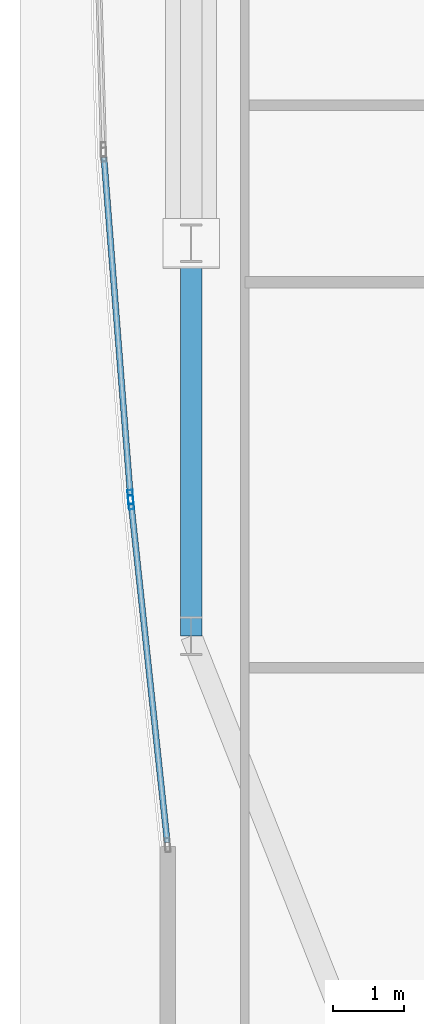
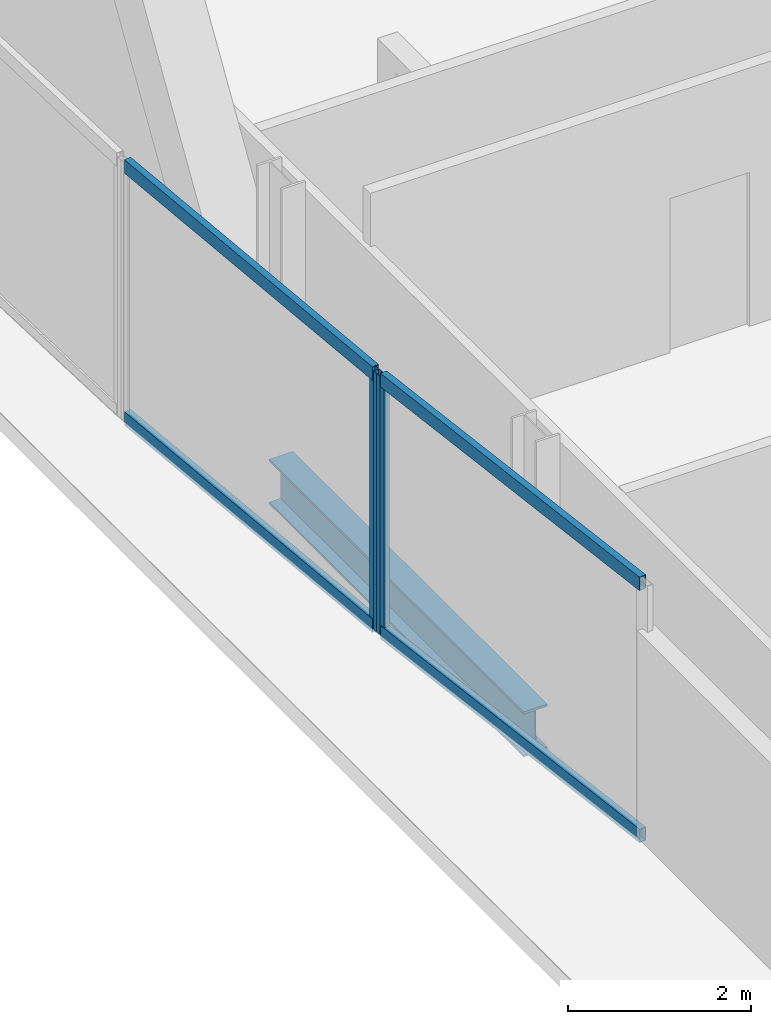
# One storey, part 6 of 30: 6 members, 1 beam, 2 elements without a shape of their own.
"""IFC4 building model written with IfcOpenShell, lengths in metres."""

import ifcopenshell
import ifcopenshell.guid

model = None  # the IFC model being written
_history = None  # IfcOwnerHistory: only IFC2X3 demands one
_inside = {}  # id of a spatial element -> (the spatial element, [elements in it])
_under = {}  # id of a project, library or spatial element -> (it, [spatial elements below it])
_declared = {}  # id of a project -> (the project, [libraries it declares])
_typed = {}  # id of a type object -> (the type object, [elements of that type])
_made_of = {}  # id of a material, layer set ... -> (it, [elements and type objects made of it])


def new_model(schema):
    """Start an empty IFC model of exactly this schema.

    Asked for "IFC4X3", IfcOpenShell would pick the latest addendum, in which some entities
    have other attributes; the version numbers below select the first issue.
    IFC2X3 requires an IfcOwnerHistory on every rooted entity: one is made here for all.
    """
    global model, _history
    if schema == "IFC4X3":
        model = ifcopenshell.file(schema_version=(4, 3, 0, 0))
    else:
        model = ifcopenshell.file(schema=schema)
    _inside.clear()
    _under.clear()
    _declared.clear()
    _typed.clear()
    _made_of.clear()
    _history = None
    if model.schema == "IFC2X3":
        org = make("IfcOrganization", Name="unknown")
        user = make(
            "IfcPersonAndOrganization",
            ThePerson=make("IfcPerson", FamilyName="unknown"),
            TheOrganization=org,
        )
        app = make(
            "IfcApplication",
            ApplicationDeveloper=org,
            Version="unknown",
            ApplicationFullName="unknown",
            ApplicationIdentifier="unknown",
        )
        _history = make(
            "IfcOwnerHistory",
            OwningUser=user,
            OwningApplication=app,
            ChangeAction="ADDED",
            CreationDate=0,
        )
    return model


def make(cls, **values):
    """One entity of the class cls with the attributes given. An attribute that is None is left unset."""
    return model.create_entity(
        cls, **{name: value for name, value in values.items() if value is not None}
    )


def rooted(cls, **values):
    """An entity with a GlobalId (a new one), such as an element, a storey or a relation."""
    return make(cls, GlobalId=ifcopenshell.guid.new(), OwnerHistory=_history, **values)


def si_unit(unit_type, name, prefix=None):
    """IfcSIUnit, for example si_unit("LENGTHUNIT", "METRE", prefix="MILLI")."""
    return make("IfcSIUnit", UnitType=unit_type, Prefix=prefix, Name=name)


def assignment(units):
    """IfcUnitAssignment: the units of a project."""
    return None if units is None else make("IfcUnitAssignment", Units=units)


def point(xyz):
    """IfcCartesianPoint."""
    return None if xyz is None else make("IfcCartesianPoint", Coordinates=xyz)


def direction(xyz):
    """IfcDirection."""
    return None if xyz is None else make("IfcDirection", DirectionRatios=xyz)


def frame(location, z_axis=None, x_axis=None):
    """IfcAxis2Placement3D, a coordinate frame: its origin and axes. An axis left out is left unset."""
    return make(
        "IfcAxis2Placement3D",
        Location=point(location),
        Axis=direction(z_axis),
        RefDirection=direction(x_axis),
    )


def frame_2d(location, x_axis=None):
    """IfcAxis2Placement2D, a coordinate frame in the plane: its origin and x axis."""
    return make(
        "IfcAxis2Placement2D", Location=point(location), RefDirection=direction(x_axis)
    )


def origin():
    """The frame at (0, 0, 0) with its axes left unset."""
    return frame((0.0, 0.0, 0.0))


def origin_2d():
    """The frame at (0, 0) in the plane with its x axis left unset."""
    return frame_2d((0.0, 0.0))


def place(relative_to, where):
    """IfcLocalPlacement: puts the frame where relative to a parent placement (None: the world)."""
    return make(
        "IfcLocalPlacement", PlacementRelTo=relative_to, RelativePlacement=where
    )


def context(
    kind, dimensions, precision=None, world=None, true_north=None, identifier=None
):
    """IfcGeometricRepresentationContext, for example the 3D "Model" context."""
    return make(
        "IfcGeometricRepresentationContext",
        ContextIdentifier=identifier,
        ContextType=kind,
        CoordinateSpaceDimension=dimensions,
        Precision=precision,
        WorldCoordinateSystem=world,
        TrueNorth=true_north,
    )


def subcontext(parent, identifier, kind, view, scale=None):
    """IfcGeometricRepresentationSubContext, for example "Body" below "Model"."""
    return make(
        "IfcGeometricRepresentationSubContext",
        ContextIdentifier=identifier,
        ContextType=kind,
        ParentContext=parent,
        TargetScale=scale,
        TargetView=view,
    )


def project(units=None, contexts=None):
    """IfcProject with its units and contexts."""
    return rooted(
        "IfcProject",
        Name="project",
        RepresentationContexts=contexts,
        UnitsInContext=assignment(units),
    )


def spatial(cls, under=None, at=None, **own):
    """A site, building, storey or space (cls), placed at a placement, below another one or the project."""
    s = rooted(cls, ObjectPlacement=at, **own)
    if under is not None:
        _under.setdefault(under.id(), (under, []))[1].append(s)
    return s


def profile(cls, at=None, kind="AREA", **sizes):
    """A parametric profile (cls). Its sizes go by their IFC names, for example OverallWidth=200.0."""
    return make(cls, ProfileType=kind, Position=at, **sizes)


def hollow_rectangle(**sizes):
    """IfcRectangleHollowProfileDef."""
    return profile("IfcRectangleHollowProfileDef", **sizes)


def i_section(**sizes):
    """IfcIShapeProfileDef."""
    return profile("IfcIShapeProfileDef", **sizes)


def extrude(swept, where, along, depth):
    """IfcExtrudedAreaSolid: the profile swept, set in the frame where, extruded along a direction by depth."""
    return make(
        "IfcExtrudedAreaSolid",
        SweptArea=swept,
        Position=where,
        ExtrudedDirection=direction(along),
        Depth=depth,
    )


def shape(context_of_items, identifier, shape_type, items):
    """IfcShapeRepresentation: the items that make up one representation, for example the "Body"."""
    return make(
        "IfcShapeRepresentation",
        ContextOfItems=context_of_items,
        RepresentationIdentifier=identifier,
        RepresentationType=shape_type,
        Items=items,
    )


def material(Name=None, Category=None):
    """IfcMaterial."""
    return make("IfcMaterial", Name=Name, Category=Category)


def material_profile(
    of_material, cross_section, Name=None, Category=None, Priority=None
):
    """IfcMaterialProfile: a cross section and its material."""
    return make(
        "IfcMaterialProfile",
        Name=Name,
        Material=of_material,
        Profile=cross_section,
        Priority=Priority,
        Category=Category,
    )


def profile_set(profiles, Name=None, composite=None):
    """IfcMaterialProfileSet."""
    return make(
        "IfcMaterialProfileSet",
        Name=Name,
        MaterialProfiles=profiles,
        CompositeProfile=composite,
    )


def made_of(thing, what):
    """Note that an element or type object is made of a material, layer set ...; save() writes the relation."""
    if what is not None:
        _made_of.setdefault(what.id(), (what, []))[1].append(thing)
    return thing


def type_object(cls, material=None, **own):
    """A type object (cls), such as IfcWallType, which elements share."""
    return made_of(rooted(cls, **own), material)


def element(
    cls,
    number,
    at=None,
    inside=None,
    cuts=None,
    type_object=None,
    material=None,
    context=None,
    identifier="Body",
    shape_type=None,
    held_by="IfcProductDefinitionShape",
    body=None,
    shapes=None,
    **own,
):
    """One element of the class cls, such as IfcWall. Its Tag is "e" and its number.

    at: its placement. inside: the storey or other place that contains it. cuts: it is an
    opening in that element (IfcRelVoidsElement). A single representation is given by context,
    identifier, shape_type and body (its items); several are given by shapes. held_by: the class
    of the entity that holds the representations. save() writes the other relations.
    """
    e = rooted(cls, Tag="e%d" % number, ObjectPlacement=at, **own)
    if body is not None:
        shapes = [shape(context, identifier, shape_type, body)]
    if shapes is not None:
        e.Representation = make(held_by, Representations=shapes)
    if inside is not None:
        _inside.setdefault(inside.id(), (inside, []))[1].append(e)
    if cuts is not None:
        rooted(
            "IfcRelVoidsElement", RelatingBuildingElement=cuts, RelatedOpeningElement=e
        )
    if type_object is not None:
        _typed.setdefault(type_object.id(), (type_object, []))[1].append(e)
    return made_of(e, material)


def aggregate(whole, parts):
    """IfcRelAggregates: a whole, such as a stair, and the parts it consists of."""
    return rooted("IfcRelAggregates", RelatingObject=whole, RelatedObjects=parts)


def save(model, path):
    """Write the relations noted so far, then the file.

    IfcRelAggregates (storeys below a building ...), IfcRelContainedInSpatialStructure (elements
    in a storey), IfcRelDefinesByType, IfcRelAssociatesMaterial and IfcRelDeclares: one each for
    every whole, place, type object, material and project.
    """
    for whole, parts in _under.values():
        aggregate(whole, parts)
    for where, things in _inside.values():
        rooted(
            "IfcRelContainedInSpatialStructure",
            RelatedElements=things,
            RelatingStructure=where,
        )
    for kind, things in _typed.values():
        rooted("IfcRelDefinesByType", RelatedObjects=things, RelatingType=kind)
    for what, things in _made_of.values():
        rooted("IfcRelAssociatesMaterial", RelatedObjects=things, RelatingMaterial=what)
    for by, libraries in _declared.values():
        rooted("IfcRelDeclares", RelatingContext=by, RelatedDefinitions=libraries)
    model.write(path)


model = new_model("IFC4")

# Units and contexts
model_context = context("Model", 3, precision=1e-05, world=origin(), true_north=direction((0.0, 1.0)))
body_context = subcontext(model_context, "Body", "Model", "MODEL_VIEW")
ifc_project = project(units=[si_unit("LENGTHUNIT", "METRE"), si_unit("AREAUNIT", "SQUARE_METRE"), si_unit("VOLUMEUNIT", "CUBIC_METRE"), si_unit("PLANEANGLEUNIT", "RADIAN"), si_unit("MASSUNIT", "GRAM", prefix="KILO")], contexts=[model_context])

# Site, building, storey
site_placement = place(None, origin())
site = spatial("IfcSite", under=ifc_project, at=site_placement, CompositionType="ELEMENT")
building_placement = place(site_placement, origin())
building = spatial("IfcBuilding", under=site, at=building_placement, Name="Khoronbel Lancet Exchange", CompositionType="ELEMENT")
storey_placement = place(building_placement, frame((0.0, 0.0, 136.199951171875)))
storey = spatial("IfcBuildingStorey", under=building, at=storey_placement, Name="L33", CompositionType="ELEMENT", Elevation=136.199951171875)

# Beam
ifc_material_1 = material(Name="Steel S355", Category="steel")
ifc_material_profile_1 = material_profile(ifc_material_1, i_section(OverallWidth=0.300048828125, OverallDepth=0.60009765625, WebThickness=0.015380859375, FlangeThickness=0.030029296875, at=origin_2d()), Name="HEB 600")
ifc_profile_set_1 = profile_set([ifc_material_profile_1], Name="Steel S355")
beam_type = type_object("IfcBeamType", Name="BM-BSP2", PredefinedType="SPANDREL", material=ifc_profile_set_1)
beam_placement = place(storey_placement, frame((5.27001953125, 24.75, -0.4599609375), z_axis=(0.0, -1.0, 0.0), x_axis=(1.0, 0.0, 0.0)))
element("IfcBeam", 1, at=beam_placement, inside=storey, type_object=beam_type, Name="Level L33 perimeter spandrel beam SP18", PredefinedType="SPANDREL", context=body_context, shape_type="SweptSolid", body=[
    extrude(i_section(OverallWidth=0.300048828125, OverallDepth=0.60009765625, WebThickness=0.015380859375, FlangeThickness=0.030029296875, at=origin_2d()), origin(), (0.0, 0.0, 1.0), 5.550048828125),
])

# Curtain wall, member
ifc_material_2 = material(Name="Low-E Solar Control Insulating Glass", Category="glass")
curtain_wall_type = type_object("IfcCurtainWallType", Name="CW-4", PredefinedType="NOTDEFINED", material=ifc_material_2)
curtain_wall_1_placement = place(storey_placement, origin())
curtain_wall_1 = element("IfcCurtainWall", 2, at=curtain_wall_1_placement, inside=storey, type_object=curtain_wall_type, Name="Unitised curtain wall CW-L33-E04", PredefinedType="NOTDEFINED")
ifc_material_3 = material(Name="Bronze-Anodised Aluminium 6063-T6", Category="aluminium")
ifc_material_profile_2 = material_profile(ifc_material_3, hollow_rectangle(XDim=0.074951171875, YDim=0.199951171875, WallThickness=0.0048828125, at=origin_2d()), Name="ALU MULLION 75x200")
ifc_profile_set_2 = profile_set([ifc_material_profile_2], Name="Bronze-Anodised Aluminium 6063-T6")
member_type_1 = type_object("IfcMemberType", Name="MEM-CWM2", PredefinedType="MULLION", material=ifc_profile_set_2)
member_1_placement = place(storey_placement, frame((4.418701171875, 21.087646484375, 0.0), z_axis=(0.0, 0.0, 1.0), x_axis=(-0.994346859972, -0.106180610586, 0.0)))
member_1 = element("IfcMember", 3, at=member_1_placement, type_object=member_type_1, Name="CW4 mullion 2", PredefinedType="MULLION", context=body_context, shape_type="SweptSolid", body=[
    extrude(hollow_rectangle(XDim=0.074951171875, YDim=0.199951171875, WallThickness=0.0048828125, at=origin_2d()), origin(), (0.0, 0.0, 1.0), 3.43994140625),
])

curtain_wall_2_placement = place(storey_placement, origin())
curtain_wall_2 = element("IfcCurtainWall", 4, at=curtain_wall_2_placement, inside=storey, type_object=curtain_wall_type, Name="Unitised curtain wall CW-L33-E05", PredefinedType="NOTDEFINED")
member_2_placement = place(storey_placement, frame((4.41162109375, 21.162353515625, 0.0), z_axis=(0.0, 0.0, 1.0), x_axis=(-0.996959555693, -0.077920756627, 0.0)))
member_2 = element("IfcMember", 5, at=member_2_placement, type_object=member_type_1, Name="CW4 mullion 1", PredefinedType="MULLION", context=body_context, shape_type="SweptSolid", body=[
    extrude(hollow_rectangle(XDim=0.074951171875, YDim=0.199951171875, WallThickness=0.0048828125, at=origin_2d()), origin(), (0.0, 0.0, 1.0), 3.43994140625),
])

# Member
ifc_material_profile_3 = material_profile(ifc_material_3, hollow_rectangle(XDim=0.0849609375, YDim=0.179931640625, WallThickness=0.0048828125, at=origin_2d()), Name="ALU TRANSOM 85x180")
ifc_profile_set_3 = profile_set([ifc_material_profile_3], Name="Bronze-Anodised Aluminium 6063-T6")
member_type_2 = type_object("IfcMemberType", Name="MEM-CWT1", PredefinedType="USERDEFINED", material=ifc_profile_set_3)
member_3_placement = place(storey_placement, frame((4.93212890625, 16.279296875, 0.04248046875), z_axis=(-0.106186389442, 0.994346242864, 0.0), x_axis=(-0.994346242864, -0.106186389442, 0.0)))
member_3 = element("IfcMember", 6, at=member_3_placement, type_object=member_type_2, Name="CW4 transom 1.1", ObjectType="TRANSOM", PredefinedType="USERDEFINED", context=body_context, shape_type="SweptSolid", body=[
    extrude(hollow_rectangle(XDim=0.0849609375, YDim=0.179931640625, WallThickness=0.0048828125, at=origin_2d()), origin(), (0.0, 0.0, 1.0), 4.79833984375),
])

member_4_placement = place(storey_placement, frame((4.93212890625, 16.279296875, 3.3974609375), z_axis=(-0.106186389442, 0.994346242864, 0.0), x_axis=(-0.994346242864, -0.106186389442, 0.0)))
member_4 = element("IfcMember", 7, at=member_4_placement, type_object=member_type_2, Name="CW4 transom 1.2", ObjectType="TRANSOM", PredefinedType="USERDEFINED", context=body_context, shape_type="SweptSolid", body=[
    extrude(hollow_rectangle(XDim=0.0849609375, YDim=0.179931640625, WallThickness=0.0048828125, at=origin_2d()), origin(), (0.0, 0.0, 1.0), 4.79833984375),
])

aggregate(curtain_wall_1, [member_1, member_3, member_4])

member_5_placement = place(storey_placement, frame((4.40869140625, 21.19970703125, 0.04248046875), z_axis=(-0.077919407709, 0.996959661121, 0.0), x_axis=(-0.996959661121, -0.077919407709, 0.0)))
member_5 = element("IfcMember", 8, at=member_5_placement, type_object=member_type_2, Name="CW4 transom 1.1", ObjectType="TRANSOM", PredefinedType="USERDEFINED", context=body_context, shape_type="SweptSolid", body=[
    extrude(hollow_rectangle(XDim=0.0849609375, YDim=0.179931640625, WallThickness=0.0048828125, at=origin_2d()), origin(), (0.0, 0.0, 1.0), 4.7783203125),
])

member_6_placement = place(storey_placement, frame((4.40869140625, 21.19970703125, 3.3974609375), z_axis=(-0.077919407709, 0.996959661121, 0.0), x_axis=(-0.996959661121, -0.077919407709, 0.0)))
member_6 = element("IfcMember", 9, at=member_6_placement, type_object=member_type_2, Name="CW4 transom 1.2", ObjectType="TRANSOM", PredefinedType="USERDEFINED", context=body_context, shape_type="SweptSolid", body=[
    extrude(hollow_rectangle(XDim=0.0849609375, YDim=0.179931640625, WallThickness=0.0048828125, at=origin_2d()), origin(), (0.0, 0.0, 1.0), 4.7783203125),
])

aggregate(curtain_wall_2, [member_2, member_5, member_6])

save(model, "model.ifc")
